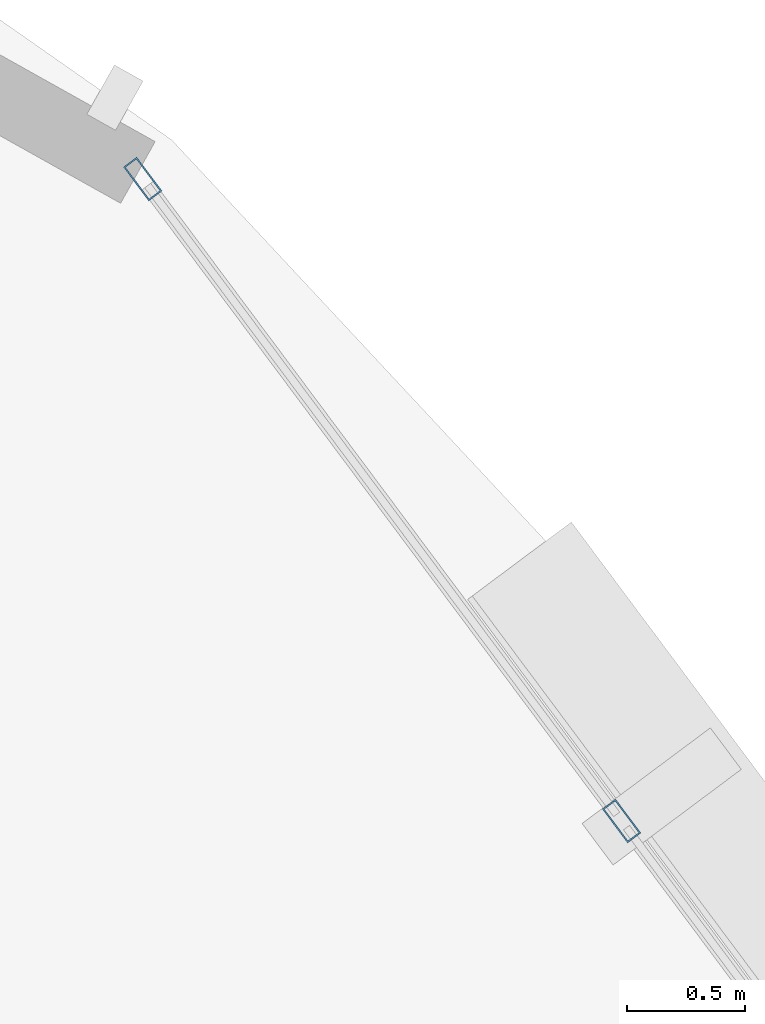
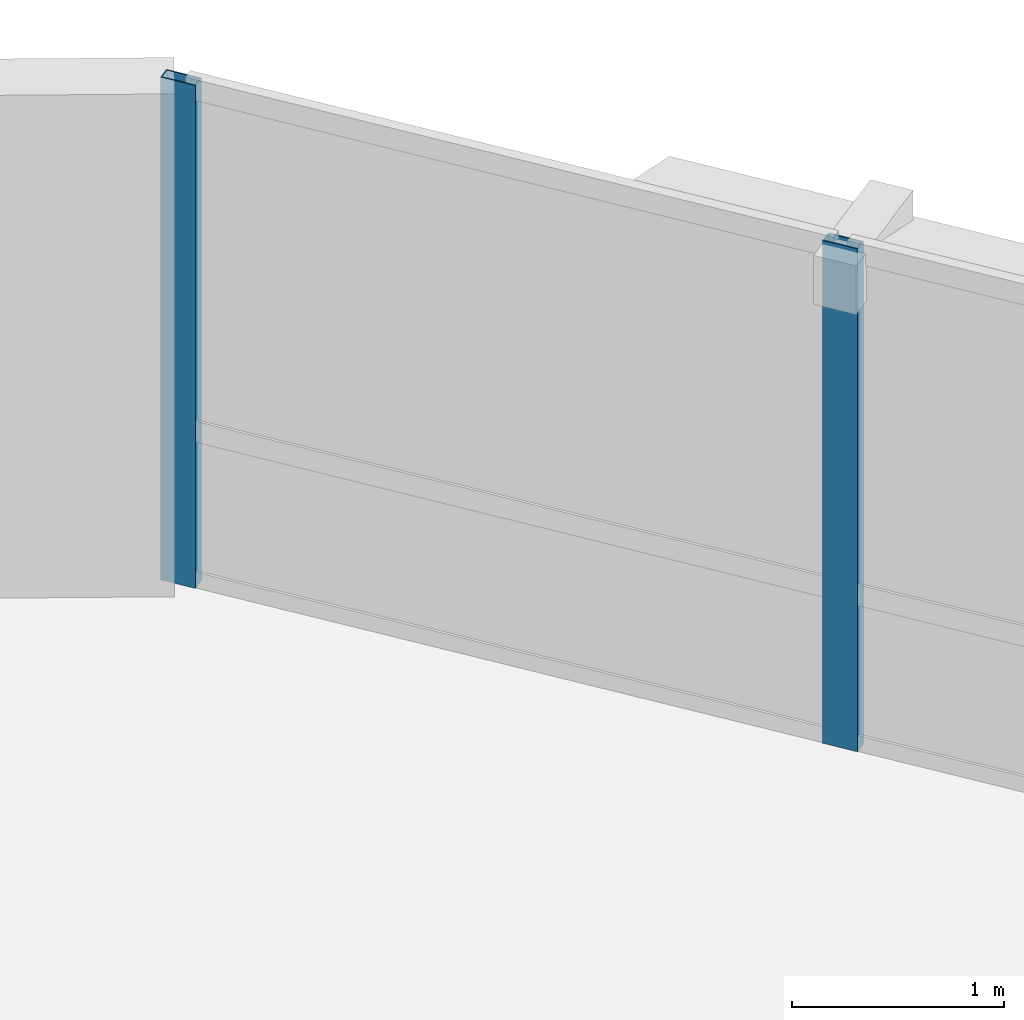
# One storey, part 8 of 14: 2 members, 1 element without a shape of its own.
"""IFC4 building model written with IfcOpenShell, lengths in metres."""

from ifc_helpers import new_model, si_unit, direction, frame, origin, origin_2d, place, context, subcontext, project, spatial, hollow_rectangle, extrude, material, layer, layer_set, material_profile, profile_set, type_object, element, aggregate, save


model = new_model("IFC4")

# Units and contexts
model_context = context("Model", 3, precision=1e-05, world=origin(), true_north=direction((0.0, 1.0)))
body_context = subcontext(model_context, "Body", "Model", "MODEL_VIEW")
ifc_project = project(units=[si_unit("LENGTHUNIT", "METRE"), si_unit("AREAUNIT", "SQUARE_METRE"), si_unit("VOLUMEUNIT", "CUBIC_METRE"), si_unit("PLANEANGLEUNIT", "RADIAN"), si_unit("MASSUNIT", "GRAM", prefix="KILO"), si_unit("THERMODYNAMICTEMPERATUREUNIT", "KELVIN"), si_unit("POWERUNIT", "WATT")], contexts=[model_context])

# Site, building, storey
site_placement = place(None, origin())
site = spatial("IfcSite", under=ifc_project, at=site_placement, CompositionType="ELEMENT")
building_placement = place(site_placement, origin())
building = spatial("IfcBuilding", under=site, at=building_placement, Name="Ocrelia Relay Tower", CompositionType="ELEMENT")
storey_placement = place(building_placement, frame((0.0, 0.0, 133.800048828125)))
storey = spatial("IfcBuildingStorey", under=building, at=storey_placement, Name="L31", CompositionType="ELEMENT", Elevation=133.800048828125)

# Curtain wall, members
ifc_material_1 = material(Name="Aluminium and solar-control low-E glass", Category="aluminium")
ifc_layer = layer(ifc_material_1, 0.179931640625, Name="Aluminium and solar-control low-E glass")
ifc_layer_set = layer_set([ifc_layer], Name="Aluminium and solar-control low-E glass")
curtain_wall_type = type_object("IfcCurtainWallType", Name="CW-SYS-Z2-SWIT", PredefinedType="NOTDEFINED", material=ifc_layer_set)
curtain_wall_placement = place(storey_placement, origin())
curtain_wall = element("IfcCurtainWall", 1, at=curtain_wall_placement, inside=storey, type_object=curtain_wall_type, Name="L31 Elliptical Tower Curtain Wall Bay 01", PredefinedType="NOTDEFINED")
ifc_material_2 = material(Name="Anodised bronze aluminium", Category="aluminium")
ifc_material_profile = material_profile(ifc_material_2, hollow_rectangle(XDim=0.070068359375, YDim=0.179931640625, WallThickness=0.006103515625, at=origin_2d()), Name="CW-MUL-180x70")
ifc_profile_set = profile_set([ifc_material_profile], Name="Anodised bronze aluminium")
member_type = type_object("IfcMemberType", Name="CW-SYS-Z2-SWIT-MUL", PredefinedType="MULLION", material=ifc_profile_set)
member_1_placement = place(storey_placement, frame((55.37548828125, 39.0673828125, 0.0), z_axis=(0.0, 0.0, 1.0), x_axis=(-0.801572448234, -0.597897658661, 0.0)))
member_1 = element("IfcMember", 2, at=member_1_placement, type_object=member_type, Name="CW-Z2 mullion 2", PredefinedType="MULLION", context=body_context, shape_type="SweptSolid", body=[
    extrude(hollow_rectangle(XDim=0.070068359375, YDim=0.179931640625, WallThickness=0.006103515625, at=origin_2d()), origin(), (0.0, 0.0, 1.0), 2.89990234375),
])
member_2_placement = place(storey_placement, frame((53.33984375, 41.79638671875, 0.0), z_axis=(0.0, 0.0, 1.0), x_axis=(-0.801572448234, -0.597897658661, 0.0)))
member_2 = element("IfcMember", 3, at=member_2_placement, type_object=member_type, Name="CW-Z2 mullion 3", PredefinedType="MULLION", context=body_context, shape_type="SweptSolid", body=[
    extrude(hollow_rectangle(XDim=0.070068359375, YDim=0.179931640625, WallThickness=0.006103515625, at=origin_2d()), origin(), (0.0, 0.0, 1.0), 2.89990234375),
])
aggregate(curtain_wall, [member_1, member_2])

save(model, "model.ifc")
